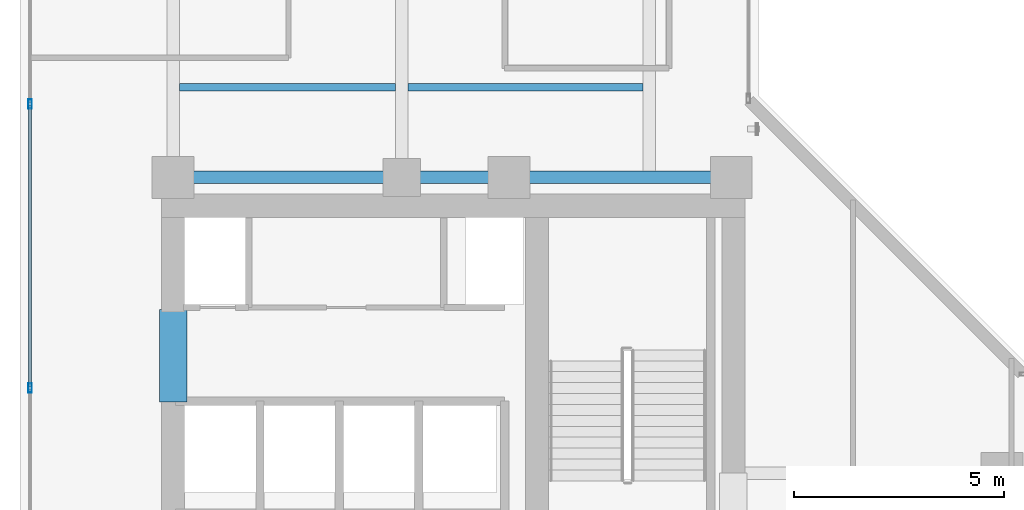
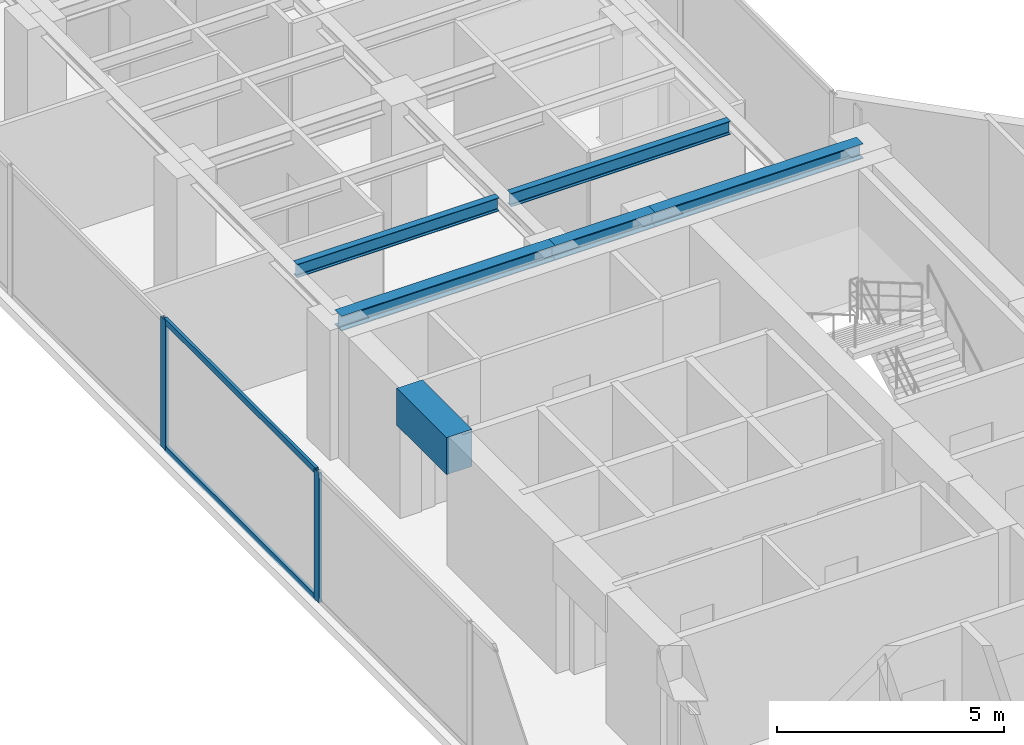
# One storey, part 7 of 22: 6 beams, 4 members, 1 element without a shape of its own.
"""IFC4 building model written with IfcOpenShell, lengths in metres."""

import ifcopenshell
import ifcopenshell.guid

model = None  # the IFC model being written
_history = None  # IfcOwnerHistory: only IFC2X3 demands one
_inside = {}  # id of a spatial element -> (the spatial element, [elements in it])
_under = {}  # id of a project, library or spatial element -> (it, [spatial elements below it])
_declared = {}  # id of a project -> (the project, [libraries it declares])
_typed = {}  # id of a type object -> (the type object, [elements of that type])
_made_of = {}  # id of a material, layer set ... -> (it, [elements and type objects made of it])


def new_model(schema):
    """Start an empty IFC model of exactly this schema.

    Asked for "IFC4X3", IfcOpenShell would pick the latest addendum, in which some entities
    have other attributes; the version numbers below select the first issue.
    IFC2X3 requires an IfcOwnerHistory on every rooted entity: one is made here for all.
    """
    global model, _history
    if schema == "IFC4X3":
        model = ifcopenshell.file(schema_version=(4, 3, 0, 0))
    else:
        model = ifcopenshell.file(schema=schema)
    _inside.clear()
    _under.clear()
    _declared.clear()
    _typed.clear()
    _made_of.clear()
    _history = None
    if model.schema == "IFC2X3":
        org = make("IfcOrganization", Name="unknown")
        user = make(
            "IfcPersonAndOrganization",
            ThePerson=make("IfcPerson", FamilyName="unknown"),
            TheOrganization=org,
        )
        app = make(
            "IfcApplication",
            ApplicationDeveloper=org,
            Version="unknown",
            ApplicationFullName="unknown",
            ApplicationIdentifier="unknown",
        )
        _history = make(
            "IfcOwnerHistory",
            OwningUser=user,
            OwningApplication=app,
            ChangeAction="ADDED",
            CreationDate=0,
        )
    return model


def make(cls, **values):
    """One entity of the class cls with the attributes given. An attribute that is None is left unset."""
    return model.create_entity(
        cls, **{name: value for name, value in values.items() if value is not None}
    )


def rooted(cls, **values):
    """An entity with a GlobalId (a new one), such as an element, a storey or a relation."""
    return make(cls, GlobalId=ifcopenshell.guid.new(), OwnerHistory=_history, **values)


def si_unit(unit_type, name, prefix=None):
    """IfcSIUnit, for example si_unit("LENGTHUNIT", "METRE", prefix="MILLI")."""
    return make("IfcSIUnit", UnitType=unit_type, Prefix=prefix, Name=name)


def assignment(units):
    """IfcUnitAssignment: the units of a project."""
    return None if units is None else make("IfcUnitAssignment", Units=units)


def point(xyz):
    """IfcCartesianPoint."""
    return None if xyz is None else make("IfcCartesianPoint", Coordinates=xyz)


def direction(xyz):
    """IfcDirection."""
    return None if xyz is None else make("IfcDirection", DirectionRatios=xyz)


def frame(location, z_axis=None, x_axis=None):
    """IfcAxis2Placement3D, a coordinate frame: its origin and axes. An axis left out is left unset."""
    return make(
        "IfcAxis2Placement3D",
        Location=point(location),
        Axis=direction(z_axis),
        RefDirection=direction(x_axis),
    )


def frame_2d(location, x_axis=None):
    """IfcAxis2Placement2D, a coordinate frame in the plane: its origin and x axis."""
    return make(
        "IfcAxis2Placement2D", Location=point(location), RefDirection=direction(x_axis)
    )


def origin():
    """The frame at (0, 0, 0) with its axes left unset."""
    return frame((0.0, 0.0, 0.0))


def origin_with_axes():
    """The frame at (0, 0, 0) with the z axis (0, 0, 1) and the x axis (1, 0, 0) written out."""
    return frame((0.0, 0.0, 0.0), z_axis=(0.0, 0.0, 1.0), x_axis=(1.0, 0.0, 0.0))


def origin_2d():
    """The frame at (0, 0) in the plane with its x axis left unset."""
    return frame_2d((0.0, 0.0))


def place(relative_to, where):
    """IfcLocalPlacement: puts the frame where relative to a parent placement (None: the world)."""
    return make(
        "IfcLocalPlacement", PlacementRelTo=relative_to, RelativePlacement=where
    )


def context(
    kind, dimensions, precision=None, world=None, true_north=None, identifier=None
):
    """IfcGeometricRepresentationContext, for example the 3D "Model" context."""
    return make(
        "IfcGeometricRepresentationContext",
        ContextIdentifier=identifier,
        ContextType=kind,
        CoordinateSpaceDimension=dimensions,
        Precision=precision,
        WorldCoordinateSystem=world,
        TrueNorth=true_north,
    )


def subcontext(parent, identifier, kind, view, scale=None):
    """IfcGeometricRepresentationSubContext, for example "Body" below "Model"."""
    return make(
        "IfcGeometricRepresentationSubContext",
        ContextIdentifier=identifier,
        ContextType=kind,
        ParentContext=parent,
        TargetScale=scale,
        TargetView=view,
    )


def project(units=None, contexts=None):
    """IfcProject with its units and contexts."""
    return rooted(
        "IfcProject",
        Name="project",
        RepresentationContexts=contexts,
        UnitsInContext=assignment(units),
    )


def spatial(cls, under=None, at=None, **own):
    """A site, building, storey or space (cls), placed at a placement, below another one or the project."""
    s = rooted(cls, ObjectPlacement=at, **own)
    if under is not None:
        _under.setdefault(under.id(), (under, []))[1].append(s)
    return s


def profile(cls, at=None, kind="AREA", **sizes):
    """A parametric profile (cls). Its sizes go by their IFC names, for example OverallWidth=200.0."""
    return make(cls, ProfileType=kind, Position=at, **sizes)


def rectangle(**sizes):
    """IfcRectangleProfileDef."""
    return profile("IfcRectangleProfileDef", **sizes)


def hollow_rectangle(**sizes):
    """IfcRectangleHollowProfileDef."""
    return profile("IfcRectangleHollowProfileDef", **sizes)


def i_section(**sizes):
    """IfcIShapeProfileDef."""
    return profile("IfcIShapeProfileDef", **sizes)


def extrude(swept, where, along, depth):
    """IfcExtrudedAreaSolid: the profile swept, set in the frame where, extruded along a direction by depth."""
    return make(
        "IfcExtrudedAreaSolid",
        SweptArea=swept,
        Position=where,
        ExtrudedDirection=direction(along),
        Depth=depth,
    )


def shape(context_of_items, identifier, shape_type, items):
    """IfcShapeRepresentation: the items that make up one representation, for example the "Body"."""
    return make(
        "IfcShapeRepresentation",
        ContextOfItems=context_of_items,
        RepresentationIdentifier=identifier,
        RepresentationType=shape_type,
        Items=items,
    )


def source(mapping_origin, context_of_items, identifier, shape_type, items):
    """IfcRepresentationMap: a shape defined once, which mapped items show again and again."""
    return make(
        "IfcRepresentationMap",
        MappingOrigin=mapping_origin,
        MappedRepresentation=shape(context_of_items, identifier, shape_type, items),
    )


def transform(
    local_origin,
    x_axis=None,
    y_axis=None,
    z_axis=None,
    scale=None,
    scale2=None,
    scale3=None,
    uniform=True,
):
    """IfcCartesianTransformationOperator3D, or its non-uniform kind. x_axis, y_axis, z_axis: its Axis1, 2, 3."""
    if uniform:
        return make(
            "IfcCartesianTransformationOperator3D",
            Axis1=direction(x_axis),
            Axis2=direction(y_axis),
            LocalOrigin=point(local_origin),
            Scale=scale,
            Axis3=direction(z_axis),
        )
    return make(
        "IfcCartesianTransformationOperator3DnonUniform",
        Axis1=direction(x_axis),
        Axis2=direction(y_axis),
        LocalOrigin=point(local_origin),
        Scale=scale,
        Axis3=direction(z_axis),
        Scale2=scale2,
        Scale3=scale3,
    )


def mapped(mapping_source, mapping_target):
    """IfcMappedItem: shows the shape of a source again, moved by a transform."""
    return make(
        "IfcMappedItem", MappingSource=mapping_source, MappingTarget=mapping_target
    )


def material(Name=None, Category=None):
    """IfcMaterial."""
    return make("IfcMaterial", Name=Name, Category=Category)


def layer(
    of_material, thickness, ventilated=None, Name=None, Category=None, Priority=None
):
    """IfcMaterialLayer: one layer of a wall or slab, of a material (None: an air gap)."""
    return make(
        "IfcMaterialLayer",
        Material=of_material,
        LayerThickness=thickness,
        IsVentilated=ventilated,
        Name=Name,
        Category=Category,
        Priority=Priority,
    )


def layer_set(layers, Name=None):
    """IfcMaterialLayerSet."""
    return make("IfcMaterialLayerSet", MaterialLayers=layers, LayerSetName=Name)


def material_profile(
    of_material, cross_section, Name=None, Category=None, Priority=None
):
    """IfcMaterialProfile: a cross section and its material."""
    return make(
        "IfcMaterialProfile",
        Name=Name,
        Material=of_material,
        Profile=cross_section,
        Priority=Priority,
        Category=Category,
    )


def profile_set(profiles, Name=None, composite=None):
    """IfcMaterialProfileSet."""
    return make(
        "IfcMaterialProfileSet",
        Name=Name,
        MaterialProfiles=profiles,
        CompositeProfile=composite,
    )


def made_of(thing, what):
    """Note that an element or type object is made of a material, layer set ...; save() writes the relation."""
    if what is not None:
        _made_of.setdefault(what.id(), (what, []))[1].append(thing)
    return thing


def type_object(cls, material=None, **own):
    """A type object (cls), such as IfcWallType, which elements share."""
    return made_of(rooted(cls, **own), material)


def element(
    cls,
    number,
    at=None,
    inside=None,
    cuts=None,
    type_object=None,
    material=None,
    context=None,
    identifier="Body",
    shape_type=None,
    held_by="IfcProductDefinitionShape",
    body=None,
    shapes=None,
    **own,
):
    """One element of the class cls, such as IfcWall. Its Tag is "e" and its number.

    at: its placement. inside: the storey or other place that contains it. cuts: it is an
    opening in that element (IfcRelVoidsElement). A single representation is given by context,
    identifier, shape_type and body (its items); several are given by shapes. held_by: the class
    of the entity that holds the representations. save() writes the other relations.
    """
    e = rooted(cls, Tag="e%d" % number, ObjectPlacement=at, **own)
    if body is not None:
        shapes = [shape(context, identifier, shape_type, body)]
    if shapes is not None:
        e.Representation = make(held_by, Representations=shapes)
    if inside is not None:
        _inside.setdefault(inside.id(), (inside, []))[1].append(e)
    if cuts is not None:
        rooted(
            "IfcRelVoidsElement", RelatingBuildingElement=cuts, RelatedOpeningElement=e
        )
    if type_object is not None:
        _typed.setdefault(type_object.id(), (type_object, []))[1].append(e)
    return made_of(e, material)


def aggregate(whole, parts):
    """IfcRelAggregates: a whole, such as a stair, and the parts it consists of."""
    return rooted("IfcRelAggregates", RelatingObject=whole, RelatedObjects=parts)


def save(model, path):
    """Write the relations noted so far, then the file.

    IfcRelAggregates (storeys below a building ...), IfcRelContainedInSpatialStructure (elements
    in a storey), IfcRelDefinesByType, IfcRelAssociatesMaterial and IfcRelDeclares: one each for
    every whole, place, type object, material and project.
    """
    for whole, parts in _under.values():
        aggregate(whole, parts)
    for where, things in _inside.values():
        rooted(
            "IfcRelContainedInSpatialStructure",
            RelatedElements=things,
            RelatingStructure=where,
        )
    for kind, things in _typed.values():
        rooted("IfcRelDefinesByType", RelatedObjects=things, RelatingType=kind)
    for what, things in _made_of.values():
        rooted("IfcRelAssociatesMaterial", RelatedObjects=things, RelatingMaterial=what)
    for by, libraries in _declared.values():
        rooted("IfcRelDeclares", RelatingContext=by, RelatedDefinitions=libraries)
    model.write(path)


model = new_model("IFC4")

# Units and contexts
model_context = context("Model", 3, precision=1e-05, world=origin(), true_north=direction((0.0, 1.0)))
body_context = subcontext(model_context, "Body", "Model", "MODEL_VIEW")
ifc_project = project(units=[si_unit("LENGTHUNIT", "METRE"), si_unit("AREAUNIT", "SQUARE_METRE"), si_unit("VOLUMEUNIT", "CUBIC_METRE"), si_unit("PLANEANGLEUNIT", "RADIAN"), si_unit("MASSUNIT", "GRAM", prefix="KILO")], contexts=[model_context])

# Site, building, storey
site_placement = place(None, origin())
site = spatial("IfcSite", under=ifc_project, at=site_placement, CompositionType="ELEMENT")
building_placement = place(site_placement, origin())
building = spatial("IfcBuilding", under=site, at=building_placement, Name="Kolvaren Waterfront Exchange", CompositionType="ELEMENT")
storey_placement = place(building_placement, frame((0.0, 0.0, 219.699951171875)))
storey = spatial("IfcBuildingStorey", under=building, at=storey_placement, Name="L56", CompositionType="ELEMENT", Elevation=219.699951171875)

# Beams
ifc_material_1 = material(Name="Steel S355", Category="steel")
ifc_material_profile_1 = material_profile(ifc_material_1, i_section(OverallWidth=0.300048828125, OverallDepth=0.39990234375, WebThickness=0.013427734375, FlangeThickness=0.02392578125, FilletRadius=0.027099609375, at=origin_2d()), Name="HEB400")
ifc_profile_set_1 = profile_set([ifc_material_profile_1], Name="Steel S355")
beam_type_1 = type_object("IfcBeamType", Name="STR-BM-HEB400", PredefinedType="BEAM", material=ifc_profile_set_1)
beam_1_placement = place(storey_placement, frame((7.449951171875, 24.449951171875, 3.300048828125), z_axis=(1.0, 0.0, 0.0), x_axis=(0.0, 1.0, 0.0)))
element("IfcBeam", 1, at=beam_1_placement, inside=storey, type_object=beam_type_1, Name="L56 north-arm girder 1A", PredefinedType="BEAM", context=body_context, shape_type="SweptSolid", body=[
    extrude(i_section(OverallWidth=0.300048828125, OverallDepth=0.39990234375, WebThickness=0.013427734375, FlangeThickness=0.02392578125, FilletRadius=0.027099609375, at=origin_2d()), origin(), (0.0, 0.0, 1.0), 5.449951171875),
])
beam_2_placement = place(storey_placement, frame((12.89990234375, 24.449951171875, 3.300048828125), z_axis=(1.0, 0.0, 0.0), x_axis=(0.0, 1.0, 0.0)))
element("IfcBeam", 2, at=beam_2_placement, inside=storey, type_object=beam_type_1, Name="L56 north-arm girder 1B", PredefinedType="BEAM", context=body_context, shape_type="SweptSolid", body=[
    extrude(i_section(OverallWidth=0.300048828125, OverallDepth=0.39990234375, WebThickness=0.013427734375, FlangeThickness=0.02392578125, FilletRadius=0.027099609375, at=origin_2d()), origin(), (0.0, 0.0, 1.0), 2.550048828125),
])
beam_3_placement = place(storey_placement, frame((15.449951171875, 24.449951171875, 3.300048828125), z_axis=(1.0, 0.0, 0.0), x_axis=(0.0, 1.0, 0.0)))
element("IfcBeam", 3, at=beam_3_placement, inside=storey, type_object=beam_type_1, Name="L56 north-arm girder 1C", PredefinedType="BEAM", context=body_context, shape_type="SweptSolid", body=[
    extrude(i_section(OverallWidth=0.300048828125, OverallDepth=0.39990234375, WebThickness=0.013427734375, FlangeThickness=0.02392578125, FilletRadius=0.027099609375, at=origin_2d()), origin(), (0.0, 0.0, 1.0), 5.300048828125),
])
ifc_material_profile_2 = material_profile(ifc_material_1, i_section(OverallWidth=0.169921875, OverallDepth=0.360107421875, WebThickness=0.008056640625, FlangeThickness=0.0126953125, FilletRadius=0.01806640625, at=origin_2d()), Name="IPE360")
ifc_profile_set_2 = profile_set([ifc_material_profile_2], Name="Steel S355")
beam_type_2 = type_object("IfcBeamType", Name="STR-BM-IPE360", PredefinedType="JOIST", material=ifc_profile_set_2)
beam_4_placement = place(storey_placement, frame((7.60205078125, 26.60009765625, 3.320068359375), z_axis=(1.0, 0.0, 0.0), x_axis=(0.0, 1.0, 0.0)))
element("IfcBeam", 4, at=beam_4_placement, inside=storey, type_object=beam_type_2, Name="L56 north-arm composite joist 1A", PredefinedType="JOIST", context=body_context, shape_type="SweptSolid", body=[
    extrude(i_section(OverallWidth=0.169921875, OverallDepth=0.360107421875, WebThickness=0.008056640625, FlangeThickness=0.0126953125, FilletRadius=0.01806640625, at=origin_2d()), origin(), (0.0, 0.0, 1.0), 5.14599609375),
])
beam_5_placement = place(storey_placement, frame((13.052001953125, 26.60009765625, 3.320068359375), z_axis=(1.0, 0.0, 0.0), x_axis=(0.0, 1.0, 0.0)))
element("IfcBeam", 5, at=beam_5_placement, inside=storey, type_object=beam_type_2, Name="L56 north-arm composite joist 1B", PredefinedType="JOIST", context=body_context, shape_type="SweptSolid", body=[
    extrude(i_section(OverallWidth=0.169921875, OverallDepth=0.360107421875, WebThickness=0.008056640625, FlangeThickness=0.0126953125, FilletRadius=0.01806640625, at=origin_2d()), origin(), (0.0, 0.0, 1.0), 5.595947265625),
])
ifc_material_2 = material(Name="Concrete C60/75", Category="concrete")
ifc_material_profile_3 = material_profile(ifc_material_2, rectangle(XDim=0.64990234375, YDim=1.0, at=origin_2d()), Name="RC-CB-1000x650")
ifc_profile_set_3 = profile_set([ifc_material_profile_3], Name="Concrete C60/75")
beam_type_3 = type_object("IfcBeamType", Name="STR-CB-1000", PredefinedType="SPANDREL", material=ifc_profile_set_3)
beam_6_placement = place(storey_placement, frame((7.449951171875, 19.10009765625, 3.0), z_axis=(0.0, 1.0, 0.0), x_axis=(-1.0, 0.0, 0.0)))
element("IfcBeam", 6, at=beam_6_placement, inside=storey, type_object=beam_type_3, Name="L56 core coupling beam 5", PredefinedType="SPANDREL", context=body_context, shape_type="SweptSolid", body=[
    extrude(rectangle(XDim=0.64990234375, YDim=1.0, at=origin_2d()), origin(), (0.0, 0.0, 1.0), 2.199951171875),
])

# Curtain wall, members
ifc_material_3 = material(Name="Anodised aluminium 6063-T6", Category="aluminium")
ifc_layer = layer(ifc_material_3, 0.219970703125, Name="Anodised aluminium 6063-T6")
ifc_layer_set = layer_set([ifc_layer], Name="Anodised aluminium 6063-T6")
curtain_wall_type = type_object("IfcCurtainWallType", Name="ARC-CW-SYS2", PredefinedType="USERDEFINED", material=ifc_layer_set)
curtain_wall_placement = place(storey_placement, origin())
curtain_wall = element("IfcCurtainWall", 7, at=curtain_wall_placement, inside=storey, type_object=curtain_wall_type, Name="L56 stick curtain wall CW2 (CW-L56-W)", ObjectType="STICK CURTAIN WALL", PredefinedType="USERDEFINED")
ifc_material_profile_4 = material_profile(ifc_material_3, hollow_rectangle(XDim=0.080078125, YDim=0.219970703125, WallThickness=0.0048828125, at=origin_2d()), Name="ALU-MUL-220x80x5")
ifc_profile_set_4 = profile_set([ifc_material_profile_4], Name="Anodised aluminium 6063-T6")
member_type_1 = type_object("IfcMemberType", Name="ARC-CWM-220", PredefinedType="MULLION", material=ifc_profile_set_4)
shared_shape_1 = source(origin_with_axes(), body_context, "Body", "SweptSolid", [
    extrude(hollow_rectangle(XDim=0.080078125, YDim=0.219970703125, WallThickness=0.0048828125, at=origin_2d()), origin(), (0.0, 0.0, 1.0), 3.5),
])
member_1_placement = place(storey_placement, frame((4.0400390625, 19.433349609375, 0.0), z_axis=(0.0, 0.0, 1.0), x_axis=(-1.0, 0.0, 0.0)))
member_1 = element("IfcMember", 8, at=member_1_placement, type_object=member_type_1, Name="CW2 mullion 3", PredefinedType="MULLION", context=body_context, shape_type="MappedRepresentation", body=[
    mapped(shared_shape_1, transform((0.0, 0.0, 0.0), x_axis=(1.0, 0.0, 0.0), y_axis=(0.0, 1.0, 0.0), z_axis=(0.0, 0.0, 1.0), scale=1.0)),
])
member_2_placement = place(storey_placement, frame((4.0400390625, 26.199951171875, 0.0), z_axis=(0.0, 0.0, 1.0), x_axis=(-1.0, 0.0, 0.0)))
member_2 = element("IfcMember", 9, at=member_2_placement, type_object=member_type_1, Name="CW2 mullion 4", PredefinedType="MULLION", context=body_context, shape_type="MappedRepresentation", body=[
    mapped(shared_shape_1, transform((0.0, 0.0, 0.0), x_axis=(1.0, 0.0, 0.0), y_axis=(0.0, 1.0, 0.0), z_axis=(0.0, 0.0, 1.0), scale=1.0)),
])
ifc_material_profile_5 = material_profile(ifc_material_3, hollow_rectangle(XDim=0.074951171875, YDim=0.159912109375, WallThickness=0.00439453125, at=origin_2d()), Name="ALU-TRN-160x75x4.5")
ifc_profile_set_5 = profile_set([ifc_material_profile_5], Name="Anodised aluminium 6063-T6")
member_type_2 = type_object("IfcMemberType", Name="ARC-CWT-160", PredefinedType="USERDEFINED", material=ifc_profile_set_5)
shared_shape_2 = source(origin_with_axes(), body_context, "Body", "SweptSolid", [
    extrude(hollow_rectangle(XDim=0.074951171875, YDim=0.159912109375, WallThickness=0.00439453125, at=origin_2d()), origin(), (0.0, 0.0, 1.0), 6.6865234375),
])
member_3_placement = place(storey_placement, frame((4.0400390625, 19.473388671875, 0.03759765625), z_axis=(0.0, 1.0, 0.0), x_axis=(-1.0, 0.0, 0.0)))
member_3 = element("IfcMember", 10, at=member_3_placement, type_object=member_type_2, Name="CW2 transom 3.1", ObjectType="TRANSOM", PredefinedType="USERDEFINED", context=body_context, shape_type="MappedRepresentation", body=[
    mapped(shared_shape_2, transform((0.0, 0.0, 0.0), x_axis=(1.0, 0.0, 0.0), y_axis=(0.0, 1.0, 0.0), z_axis=(0.0, 0.0, 1.0), scale=1.0)),
])
member_4_placement = place(storey_placement, frame((4.0400390625, 19.473388671875, 3.462646484375), z_axis=(0.0, 1.0, 0.0), x_axis=(-1.0, 0.0, 0.0)))
member_4 = element("IfcMember", 11, at=member_4_placement, type_object=member_type_2, Name="CW2 transom 3.2", ObjectType="TRANSOM", PredefinedType="USERDEFINED", context=body_context, shape_type="MappedRepresentation", body=[
    mapped(shared_shape_2, transform((0.0, 0.0, 0.0), x_axis=(1.0, 0.0, 0.0), y_axis=(0.0, 1.0, 0.0), z_axis=(0.0, 0.0, 1.0), scale=1.0)),
])
aggregate(curtain_wall, [member_1, member_2, member_3, member_4])

save(model, "model.ifc")
